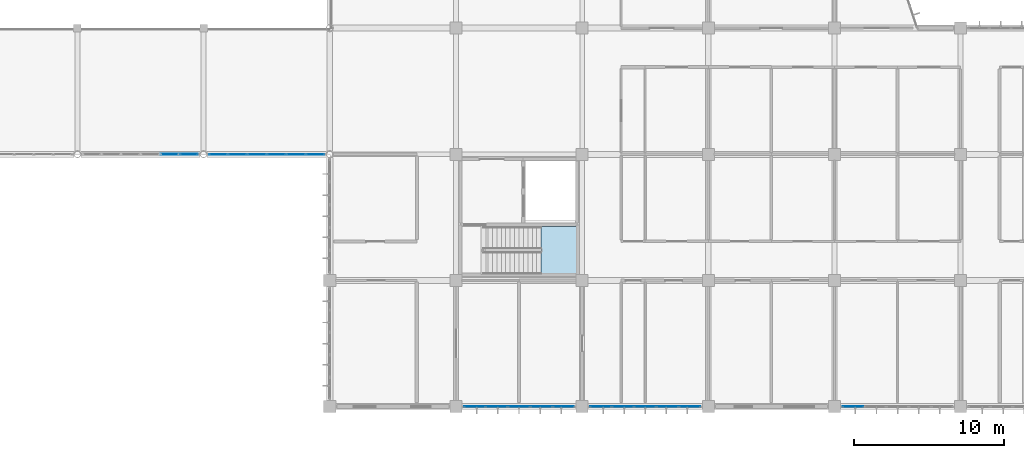
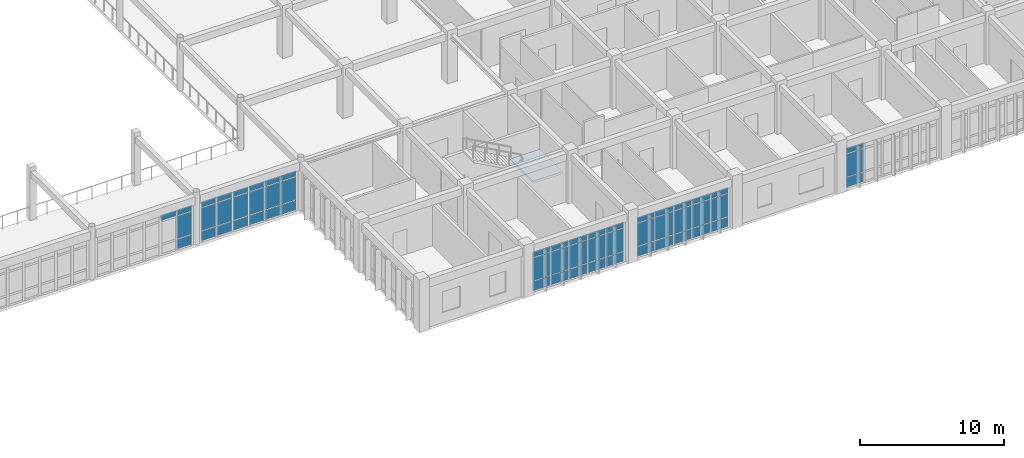
# One storey, part 75 of 144: 55 plates, 1 slab, 6 elements without a shape of their own.
"""IFC4 building model written with IfcOpenShell, lengths in metres."""

from ifc_helpers import new_model, si_unit, direction, frame, origin, origin_2d, place, context, subcontext, project, spatial, polyline, rectangle, outline, extrude, material, layer, layer_set, type_object, element, aggregate, save


model = new_model("IFC4")

# Units and contexts
model_context = context("Model", 3, precision=1e-05, world=origin(), true_north=direction((0.0, 1.0)))
body_context = subcontext(model_context, "Body", "Model", "MODEL_VIEW")
ifc_project = project(units=[si_unit("LENGTHUNIT", "METRE"), si_unit("AREAUNIT", "SQUARE_METRE"), si_unit("VOLUMEUNIT", "CUBIC_METRE"), si_unit("PLANEANGLEUNIT", "RADIAN"), si_unit("MASSUNIT", "GRAM", prefix="KILO")], contexts=[model_context])

# Site, building, storey
site_placement = place(None, origin())
site = spatial("IfcSite", under=ifc_project, at=site_placement, CompositionType="ELEMENT")
building_placement = place(site_placement, origin())
building = spatial("IfcBuilding", under=site, at=building_placement, Name="Bramfleet General Hospital", CompositionType="ELEMENT")
storey_placement = place(building_placement, frame((0.0, 0.0, 4.800048828125)))
storey = spatial("IfcBuildingStorey", under=building, at=storey_placement, Name="L01", CompositionType="ELEMENT", Elevation=4.800048828125)

# Curtain wall, plates
ifc_material_1 = material(Name="Anodised aluminium and low-E triple glazing", Category="aluminium")
ifc_layer_1 = layer(ifc_material_1, 0.179931640625, Name="CWT-CW-02")
ifc_layer_set_1 = layer_set([ifc_layer_1], Name="Anodised aluminium and low-E triple glazing")
curtain_wall_type_1 = type_object("IfcCurtainWallType", Name="CWT-CW-02", PredefinedType="USERDEFINED", material=ifc_layer_set_1)
curtain_wall_1_placement = place(storey_placement, origin())
curtain_wall_1 = element("IfcCurtainWall", 1, at=curtain_wall_1_placement, inside=storey, type_object=curtain_wall_type_1, Name="L01 Curtain Wall 74", ObjectType="Unitised curtain wall", PredefinedType="USERDEFINED")
ifc_material_2 = material(Name="Low-E laminated safety glass", Category="glass")
ifc_layer_2 = layer(ifc_material_2, 0.031982421875, Name="CWP-GLZ-2")
ifc_layer_set_2 = layer_set([ifc_layer_2], Name="Low-E laminated safety glass")
plate_type_1 = type_object("IfcPlateType", Name="CWP-GLZ-2", PredefinedType="CURTAIN_PANEL", material=ifc_layer_set_2)
plate_1_placement = place(storey_placement, frame((127.237548828125, 0.0, 0.06494140625), z_axis=(0.0, 0.0, 1.0), x_axis=(-1.0, 0.0, 0.0)))
plate_1 = element("IfcPlate", 2, at=plate_1_placement, type_object=plate_type_1, Name="CW-02 panel 5.1", PredefinedType="CURTAIN_PANEL", context=body_context, shape_type="SweptSolid", body=[
    extrude(rectangle(XDim=1.385009765625, YDim=0.031982421875, at=origin_2d()), origin(), (0.0, 0.0, 1.0), 0.802490234375),
])
plate_2_placement = place(storey_placement, frame((127.237548828125, 0.0, 0.9326171875), z_axis=(0.0, 0.0, 1.0), x_axis=(-1.0, 0.0, 0.0)))
plate_2 = element("IfcPlate", 3, at=plate_2_placement, type_object=plate_type_1, Name="CW-02 panel 5.2", PredefinedType="CURTAIN_PANEL", context=body_context, shape_type="SweptSolid", body=[
    extrude(rectangle(XDim=1.385009765625, YDim=0.031982421875, at=origin_2d()), origin(), (0.0, 0.0, 1.0), 1.925048828125),
])
plate_3_placement = place(storey_placement, frame((127.237548828125, 0.0, 2.92236328125), z_axis=(0.0, 0.0, 1.0), x_axis=(-1.0, 0.0, 0.0)))
plate_3 = element("IfcPlate", 4, at=plate_3_placement, type_object=plate_type_1, Name="CW-02 panel 5.3", PredefinedType="CURTAIN_PANEL", context=body_context, shape_type="SweptSolid", body=[
    extrude(rectangle(XDim=1.385009765625, YDim=0.031982421875, at=origin_2d()), origin(), (0.0, 0.0, 1.0), 0.452392578125),
])
aggregate(curtain_wall_1, [plate_1, plate_2, plate_3])

ifc_layer_3 = layer(ifc_material_1, 0.179931640625, Name="CWT-CW-03")
ifc_layer_set_3 = layer_set([ifc_layer_3], Name="Anodised aluminium and low-E triple glazing")
curtain_wall_type_2 = type_object("IfcCurtainWallType", Name="CWT-CW-03", PredefinedType="USERDEFINED", material=ifc_layer_set_3)
curtain_wall_2_placement = place(storey_placement, origin())
curtain_wall_2 = element("IfcCurtainWall", 5, at=curtain_wall_2_placement, inside=storey, type_object=curtain_wall_type_2, Name="L01 Curtain Wall 75", ObjectType="Unitised curtain wall", PredefinedType="USERDEFINED")
ifc_layer_4 = layer(ifc_material_2, 0.035888671875, Name="CWP-GLZ-3")
ifc_layer_set_4 = layer_set([ifc_layer_4], Name="Low-E laminated safety glass")
plate_type_2 = type_object("IfcPlateType", Name="CWP-GLZ-3", PredefinedType="CURTAIN_PANEL", material=ifc_layer_set_4)
plate_4_placement = place(storey_placement, frame((116.362548828125, 0.0, 0.06494140625), z_axis=(0.0, 0.0, 1.0), x_axis=(-1.0, 0.0, 0.0)))
plate_4 = element("IfcPlate", 6, at=plate_4_placement, type_object=plate_type_2, Name="CW-03 panel 1.1", PredefinedType="CURTAIN_PANEL", context=body_context, shape_type="SweptSolid", body=[
    extrude(rectangle(XDim=1.385009765625, YDim=0.035888671875, at=origin_2d()), origin(), (0.0, 0.0, 1.0), 0.802490234375),
])
plate_5_placement = place(storey_placement, frame((116.362548828125, 0.0, 0.9326171875), z_axis=(0.0, 0.0, 1.0), x_axis=(-1.0, 0.0, 0.0)))
plate_5 = element("IfcPlate", 7, at=plate_5_placement, type_object=plate_type_2, Name="CW-03 panel 1.2", PredefinedType="CURTAIN_PANEL", context=body_context, shape_type="SweptSolid", body=[
    extrude(rectangle(XDim=1.385009765625, YDim=0.035888671875, at=origin_2d()), origin(), (0.0, 0.0, 1.0), 1.925048828125),
])
plate_6_placement = place(storey_placement, frame((116.362548828125, 0.0, 2.92236328125), z_axis=(0.0, 0.0, 1.0), x_axis=(-1.0, 0.0, 0.0)))
plate_6 = element("IfcPlate", 8, at=plate_6_placement, type_object=plate_type_2, Name="CW-03 panel 1.3", PredefinedType="CURTAIN_PANEL", context=body_context, shape_type="SweptSolid", body=[
    extrude(rectangle(XDim=1.385009765625, YDim=0.035888671875, at=origin_2d()), origin(), (0.0, 0.0, 1.0), 0.452392578125),
])
plate_7_placement = place(storey_placement, frame((114.889892578125, 0.0, 0.06494140625), z_axis=(0.0, 0.0, 1.0), x_axis=(-1.0, 0.0, 0.0)))
plate_7 = element("IfcPlate", 9, at=plate_7_placement, type_object=plate_type_2, Name="CW-03 panel 2.1", PredefinedType="CURTAIN_PANEL", context=body_context, shape_type="SweptSolid", body=[
    extrude(rectangle(XDim=1.419921875, YDim=0.035888671875, at=origin_2d()), origin(), (0.0, 0.0, 1.0), 0.802490234375),
])
plate_8_placement = place(storey_placement, frame((114.889892578125, 0.0, 0.9326171875), z_axis=(0.0, 0.0, 1.0), x_axis=(-1.0, 0.0, 0.0)))
plate_8 = element("IfcPlate", 10, at=plate_8_placement, type_object=plate_type_2, Name="CW-03 panel 2.2", PredefinedType="CURTAIN_PANEL", context=body_context, shape_type="SweptSolid", body=[
    extrude(rectangle(XDim=1.419921875, YDim=0.035888671875, at=origin_2d()), origin(), (0.0, 0.0, 1.0), 1.925048828125),
])
plate_9_placement = place(storey_placement, frame((114.889892578125, 0.0, 2.92236328125), z_axis=(0.0, 0.0, 1.0), x_axis=(-1.0, 0.0, 0.0)))
plate_9 = element("IfcPlate", 11, at=plate_9_placement, type_object=plate_type_2, Name="CW-03 panel 2.3", PredefinedType="CURTAIN_PANEL", context=body_context, shape_type="SweptSolid", body=[
    extrude(rectangle(XDim=1.419921875, YDim=0.035888671875, at=origin_2d()), origin(), (0.0, 0.0, 1.0), 0.452392578125),
])
plate_10_placement = place(storey_placement, frame((113.39990234375, 0.0, 0.06494140625), z_axis=(0.0, 0.0, 1.0), x_axis=(-1.0, 0.0, 0.0)))
plate_10 = element("IfcPlate", 12, at=plate_10_placement, type_object=plate_type_2, Name="CW-03 panel 3.1", PredefinedType="CURTAIN_PANEL", context=body_context, shape_type="SweptSolid", body=[
    extrude(rectangle(XDim=1.419921875, YDim=0.035888671875, at=origin_2d()), origin(), (0.0, 0.0, 1.0), 0.802490234375),
])
plate_11_placement = place(storey_placement, frame((113.39990234375, 0.0, 0.9326171875), z_axis=(0.0, 0.0, 1.0), x_axis=(-1.0, 0.0, 0.0)))
plate_11 = element("IfcPlate", 13, at=plate_11_placement, type_object=plate_type_2, Name="CW-03 panel 3.2", PredefinedType="CURTAIN_PANEL", context=body_context, shape_type="SweptSolid", body=[
    extrude(rectangle(XDim=1.419921875, YDim=0.035888671875, at=origin_2d()), origin(), (0.0, 0.0, 1.0), 1.925048828125),
])
plate_12_placement = place(storey_placement, frame((113.39990234375, 0.0, 2.92236328125), z_axis=(0.0, 0.0, 1.0), x_axis=(-1.0, 0.0, 0.0)))
plate_12 = element("IfcPlate", 14, at=plate_12_placement, type_object=plate_type_2, Name="CW-03 panel 3.3", PredefinedType="CURTAIN_PANEL", context=body_context, shape_type="SweptSolid", body=[
    extrude(rectangle(XDim=1.419921875, YDim=0.035888671875, at=origin_2d()), origin(), (0.0, 0.0, 1.0), 0.452392578125),
])
plate_13_placement = place(storey_placement, frame((111.909912109375, 0.0, 0.06494140625), z_axis=(0.0, 0.0, 1.0), x_axis=(-1.0, 0.0, 0.0)))
plate_13 = element("IfcPlate", 15, at=plate_13_placement, type_object=plate_type_2, Name="CW-03 panel 4.1", PredefinedType="CURTAIN_PANEL", context=body_context, shape_type="SweptSolid", body=[
    extrude(rectangle(XDim=1.419921875, YDim=0.035888671875, at=origin_2d()), origin(), (0.0, 0.0, 1.0), 0.802490234375),
])
plate_14_placement = place(storey_placement, frame((111.909912109375, 0.0, 0.9326171875), z_axis=(0.0, 0.0, 1.0), x_axis=(-1.0, 0.0, 0.0)))
plate_14 = element("IfcPlate", 16, at=plate_14_placement, type_object=plate_type_2, Name="CW-03 panel 4.2", PredefinedType="CURTAIN_PANEL", context=body_context, shape_type="SweptSolid", body=[
    extrude(rectangle(XDim=1.419921875, YDim=0.035888671875, at=origin_2d()), origin(), (0.0, 0.0, 1.0), 1.925048828125),
])
plate_15_placement = place(storey_placement, frame((111.909912109375, 0.0, 2.92236328125), z_axis=(0.0, 0.0, 1.0), x_axis=(-1.0, 0.0, 0.0)))
plate_15 = element("IfcPlate", 17, at=plate_15_placement, type_object=plate_type_2, Name="CW-03 panel 4.3", PredefinedType="CURTAIN_PANEL", context=body_context, shape_type="SweptSolid", body=[
    extrude(rectangle(XDim=1.419921875, YDim=0.035888671875, at=origin_2d()), origin(), (0.0, 0.0, 1.0), 0.452392578125),
])
plate_16_placement = place(storey_placement, frame((110.4375, 0.0, 0.06494140625), z_axis=(0.0, 0.0, 1.0), x_axis=(-1.0, 0.0, 0.0)))
plate_16 = element("IfcPlate", 18, at=plate_16_placement, type_object=plate_type_2, Name="CW-03 panel 5.1", PredefinedType="CURTAIN_PANEL", context=body_context, shape_type="SweptSolid", body=[
    extrude(rectangle(XDim=1.385009765625, YDim=0.035888671875, at=origin_2d()), origin(), (0.0, 0.0, 1.0), 0.802490234375),
])
plate_17_placement = place(storey_placement, frame((110.4375, 0.0, 0.9326171875), z_axis=(0.0, 0.0, 1.0), x_axis=(-1.0, 0.0, 0.0)))
plate_17 = element("IfcPlate", 19, at=plate_17_placement, type_object=plate_type_2, Name="CW-03 panel 5.2", PredefinedType="CURTAIN_PANEL", context=body_context, shape_type="SweptSolid", body=[
    extrude(rectangle(XDim=1.385009765625, YDim=0.035888671875, at=origin_2d()), origin(), (0.0, 0.0, 1.0), 1.925048828125),
])
plate_18_placement = place(storey_placement, frame((110.4375, 0.0, 2.92236328125), z_axis=(0.0, 0.0, 1.0), x_axis=(-1.0, 0.0, 0.0)))
plate_18 = element("IfcPlate", 20, at=plate_18_placement, type_object=plate_type_2, Name="CW-03 panel 5.3", PredefinedType="CURTAIN_PANEL", context=body_context, shape_type="SweptSolid", body=[
    extrude(rectangle(XDim=1.385009765625, YDim=0.035888671875, at=origin_2d()), origin(), (0.0, 0.0, 1.0), 0.452392578125),
])
aggregate(curtain_wall_2, [plate_4, plate_5, plate_6, plate_7, plate_8, plate_9, plate_10, plate_11, plate_12, plate_13, plate_14, plate_15, plate_16, plate_17, plate_18])

ifc_layer_5 = layer(ifc_material_1, 0.179931640625, Name="CWT-CW-07")
ifc_layer_set_5 = layer_set([ifc_layer_5], Name="Anodised aluminium and low-E triple glazing")
curtain_wall_type_3 = type_object("IfcCurtainWallType", Name="CWT-CW-07", PredefinedType="USERDEFINED", material=ifc_layer_set_5)
curtain_wall_3_placement = place(storey_placement, origin())
curtain_wall_3 = element("IfcCurtainWall", 21, at=curtain_wall_3_placement, inside=storey, type_object=curtain_wall_type_3, Name="L01 Curtain Wall 79", ObjectType="Unitised curtain wall", PredefinedType="USERDEFINED")
plate_19_placement = place(storey_placement, frame((91.4287109375, 16.800048828125, 0.06494140625), z_axis=(0.0, 0.0, 1.0), x_axis=(-1.0, 0.0, 0.0)))
plate_19 = element("IfcPlate", 22, at=plate_19_placement, type_object=plate_type_2, Name="CW-07 panel 1.1", PredefinedType="CURTAIN_PANEL", context=body_context, shape_type="SweptSolid", body=[
    extrude(rectangle(XDim=1.1865234375, YDim=0.035888671875, at=origin_2d()), origin(), (0.0, 0.0, 1.0), 0.802490234375),
])
plate_20_placement = place(storey_placement, frame((91.4287109375, 16.800048828125, 0.9326171875), z_axis=(0.0, 0.0, 1.0), x_axis=(-1.0, 0.0, 0.0)))
plate_20 = element("IfcPlate", 23, at=plate_20_placement, type_object=plate_type_2, Name="CW-07 panel 1.2", PredefinedType="CURTAIN_PANEL", context=body_context, shape_type="SweptSolid", body=[
    extrude(rectangle(XDim=1.1865234375, YDim=0.035888671875, at=origin_2d()), origin(), (0.0, 0.0, 1.0), 1.925048828125),
])
plate_21_placement = place(storey_placement, frame((91.4287109375, 16.800048828125, 2.92236328125), z_axis=(0.0, 0.0, 1.0), x_axis=(-1.0, 0.0, 0.0)))
plate_21 = element("IfcPlate", 24, at=plate_21_placement, type_object=plate_type_2, Name="CW-07 panel 1.3", PredefinedType="CURTAIN_PANEL", context=body_context, shape_type="SweptSolid", body=[
    extrude(rectangle(XDim=1.1865234375, YDim=0.035888671875, at=origin_2d()), origin(), (0.0, 0.0, 1.0), 0.452392578125),
])
plate_22_placement = place(storey_placement, frame((90.1484375, 16.800048828125, 0.06494140625), z_axis=(0.0, 0.0, 1.0), x_axis=(-1.0, 0.0, 0.0)))
plate_22 = element("IfcPlate", 25, at=plate_22_placement, type_object=plate_type_2, Name="CW-07 panel 2.1", PredefinedType="CURTAIN_PANEL", context=body_context, shape_type="SweptSolid", body=[
    extrude(rectangle(XDim=1.22412109375, YDim=0.035888671875, at=origin_2d()), origin(), (0.0, 0.0, 1.0), 0.802490234375),
])
plate_23_placement = place(storey_placement, frame((90.1484375, 16.800048828125, 0.9326171875), z_axis=(0.0, 0.0, 1.0), x_axis=(-1.0, 0.0, 0.0)))
plate_23 = element("IfcPlate", 26, at=plate_23_placement, type_object=plate_type_2, Name="CW-07 panel 2.2", PredefinedType="CURTAIN_PANEL", context=body_context, shape_type="SweptSolid", body=[
    extrude(rectangle(XDim=1.22412109375, YDim=0.035888671875, at=origin_2d()), origin(), (0.0, 0.0, 1.0), 1.925048828125),
])
plate_24_placement = place(storey_placement, frame((90.1484375, 16.800048828125, 2.92236328125), z_axis=(0.0, 0.0, 1.0), x_axis=(-1.0, 0.0, 0.0)))
plate_24 = element("IfcPlate", 27, at=plate_24_placement, type_object=plate_type_2, Name="CW-07 panel 2.3", PredefinedType="CURTAIN_PANEL", context=body_context, shape_type="SweptSolid", body=[
    extrude(rectangle(XDim=1.22412109375, YDim=0.035888671875, at=origin_2d()), origin(), (0.0, 0.0, 1.0), 0.452392578125),
])
plate_25_placement = place(storey_placement, frame((88.849609375, 16.800048828125, 0.06494140625), z_axis=(0.0, 0.0, 1.0), x_axis=(-1.0, 0.0, 0.0)))
plate_25 = element("IfcPlate", 28, at=plate_25_placement, type_object=plate_type_2, Name="CW-07 panel 3.1", PredefinedType="CURTAIN_PANEL", context=body_context, shape_type="SweptSolid", body=[
    extrude(rectangle(XDim=1.22412109375, YDim=0.035888671875, at=origin_2d()), origin(), (0.0, 0.0, 1.0), 0.802490234375),
])
plate_26_placement = place(storey_placement, frame((88.849609375, 16.800048828125, 0.9326171875), z_axis=(0.0, 0.0, 1.0), x_axis=(-1.0, 0.0, 0.0)))
plate_26 = element("IfcPlate", 29, at=plate_26_placement, type_object=plate_type_2, Name="CW-07 panel 3.2", PredefinedType="CURTAIN_PANEL", context=body_context, shape_type="SweptSolid", body=[
    extrude(rectangle(XDim=1.22412109375, YDim=0.035888671875, at=origin_2d()), origin(), (0.0, 0.0, 1.0), 1.925048828125),
])
plate_27_placement = place(storey_placement, frame((88.849609375, 16.800048828125, 2.92236328125), z_axis=(0.0, 0.0, 1.0), x_axis=(-1.0, 0.0, 0.0)))
plate_27 = element("IfcPlate", 30, at=plate_27_placement, type_object=plate_type_2, Name="CW-07 panel 3.3", PredefinedType="CURTAIN_PANEL", context=body_context, shape_type="SweptSolid", body=[
    extrude(rectangle(XDim=1.22412109375, YDim=0.035888671875, at=origin_2d()), origin(), (0.0, 0.0, 1.0), 0.452392578125),
])
plate_28_placement = place(storey_placement, frame((87.550537109375, 16.800048828125, 0.06494140625), z_axis=(0.0, 0.0, 1.0), x_axis=(-1.0, 0.0, 0.0)))
plate_28 = element("IfcPlate", 31, at=plate_28_placement, type_object=plate_type_2, Name="CW-07 panel 4.1", PredefinedType="CURTAIN_PANEL", context=body_context, shape_type="SweptSolid", body=[
    extrude(rectangle(XDim=1.22412109375, YDim=0.035888671875, at=origin_2d()), origin(), (0.0, 0.0, 1.0), 0.802490234375),
])
plate_29_placement = place(storey_placement, frame((87.550537109375, 16.800048828125, 0.9326171875), z_axis=(0.0, 0.0, 1.0), x_axis=(-1.0, 0.0, 0.0)))
plate_29 = element("IfcPlate", 32, at=plate_29_placement, type_object=plate_type_2, Name="CW-07 panel 4.2", PredefinedType="CURTAIN_PANEL", context=body_context, shape_type="SweptSolid", body=[
    extrude(rectangle(XDim=1.22412109375, YDim=0.035888671875, at=origin_2d()), origin(), (0.0, 0.0, 1.0), 1.925048828125),
])
plate_30_placement = place(storey_placement, frame((87.550537109375, 16.800048828125, 2.92236328125), z_axis=(0.0, 0.0, 1.0), x_axis=(-1.0, 0.0, 0.0)))
plate_30 = element("IfcPlate", 33, at=plate_30_placement, type_object=plate_type_2, Name="CW-07 panel 4.3", PredefinedType="CURTAIN_PANEL", context=body_context, shape_type="SweptSolid", body=[
    extrude(rectangle(XDim=1.22412109375, YDim=0.035888671875, at=origin_2d()), origin(), (0.0, 0.0, 1.0), 0.452392578125),
])
plate_31_placement = place(storey_placement, frame((86.25146484375, 16.800048828125, 0.06494140625), z_axis=(0.0, 0.0, 1.0), x_axis=(-1.0, 0.0, 0.0)))
plate_31 = element("IfcPlate", 34, at=plate_31_placement, type_object=plate_type_2, Name="CW-07 panel 5.1", PredefinedType="CURTAIN_PANEL", context=body_context, shape_type="SweptSolid", body=[
    extrude(rectangle(XDim=1.22412109375, YDim=0.035888671875, at=origin_2d()), origin(), (0.0, 0.0, 1.0), 0.802490234375),
])
plate_32_placement = place(storey_placement, frame((86.25146484375, 16.800048828125, 0.9326171875), z_axis=(0.0, 0.0, 1.0), x_axis=(-1.0, 0.0, 0.0)))
plate_32 = element("IfcPlate", 35, at=plate_32_placement, type_object=plate_type_2, Name="CW-07 panel 5.2", PredefinedType="CURTAIN_PANEL", context=body_context, shape_type="SweptSolid", body=[
    extrude(rectangle(XDim=1.22412109375, YDim=0.035888671875, at=origin_2d()), origin(), (0.0, 0.0, 1.0), 1.925048828125),
])
plate_33_placement = place(storey_placement, frame((86.25146484375, 16.800048828125, 2.92236328125), z_axis=(0.0, 0.0, 1.0), x_axis=(-1.0, 0.0, 0.0)))
plate_33 = element("IfcPlate", 36, at=plate_33_placement, type_object=plate_type_2, Name="CW-07 panel 5.3", PredefinedType="CURTAIN_PANEL", context=body_context, shape_type="SweptSolid", body=[
    extrude(rectangle(XDim=1.22412109375, YDim=0.035888671875, at=origin_2d()), origin(), (0.0, 0.0, 1.0), 0.452392578125),
])
plate_34_placement = place(storey_placement, frame((84.97119140625, 16.800048828125, 0.06494140625), z_axis=(0.0, 0.0, 1.0), x_axis=(-1.0, 0.0, 0.0)))
plate_34 = element("IfcPlate", 37, at=plate_34_placement, type_object=plate_type_2, Name="CW-07 panel 6.1", PredefinedType="CURTAIN_PANEL", context=body_context, shape_type="SweptSolid", body=[
    extrude(rectangle(XDim=1.1865234375, YDim=0.035888671875, at=origin_2d()), origin(), (0.0, 0.0, 1.0), 0.802490234375),
])
plate_35_placement = place(storey_placement, frame((84.97119140625, 16.800048828125, 0.9326171875), z_axis=(0.0, 0.0, 1.0), x_axis=(-1.0, 0.0, 0.0)))
plate_35 = element("IfcPlate", 38, at=plate_35_placement, type_object=plate_type_2, Name="CW-07 panel 6.2", PredefinedType="CURTAIN_PANEL", context=body_context, shape_type="SweptSolid", body=[
    extrude(rectangle(XDim=1.1865234375, YDim=0.035888671875, at=origin_2d()), origin(), (0.0, 0.0, 1.0), 1.925048828125),
])
plate_36_placement = place(storey_placement, frame((84.97119140625, 16.800048828125, 2.92236328125), z_axis=(0.0, 0.0, 1.0), x_axis=(-1.0, 0.0, 0.0)))
plate_36 = element("IfcPlate", 39, at=plate_36_placement, type_object=plate_type_2, Name="CW-07 panel 6.3", PredefinedType="CURTAIN_PANEL", context=body_context, shape_type="SweptSolid", body=[
    extrude(rectangle(XDim=1.1865234375, YDim=0.035888671875, at=origin_2d()), origin(), (0.0, 0.0, 1.0), 0.452392578125),
])
aggregate(curtain_wall_3, [plate_19, plate_20, plate_21, plate_22, plate_23, plate_24, plate_25, plate_26, plate_27, plate_28, plate_29, plate_30, plate_31, plate_32, plate_33, plate_34, plate_35, plate_36])

ifc_layer_6 = layer(ifc_material_1, 0.179931640625, Name="CWT-CW-04")
ifc_layer_set_6 = layer_set([ifc_layer_6], Name="Anodised aluminium and low-E triple glazing")
curtain_wall_type_4 = type_object("IfcCurtainWallType", Name="CWT-CW-04", PredefinedType="USERDEFINED", material=ifc_layer_set_6)
curtain_wall_4_placement = place(storey_placement, origin())
curtain_wall_4 = element("IfcCurtainWall", 40, at=curtain_wall_4_placement, inside=storey, type_object=curtain_wall_type_4, Name="L01 Curtain Wall 76", ObjectType="Unitised curtain wall", PredefinedType="USERDEFINED")
ifc_layer_7 = layer(ifc_material_2, 0.0419921875, Name="CWP-GLZ-4")
ifc_layer_set_7 = layer_set([ifc_layer_7], Name="Low-E laminated safety glass")
plate_type_3 = type_object("IfcPlateType", Name="CWP-GLZ-4", PredefinedType="CURTAIN_PANEL", material=ifc_layer_set_7)
plate_37_placement = place(storey_placement, frame((107.96240234375, 0.0, 0.06494140625), z_axis=(0.0, 0.0, 1.0), x_axis=(-1.0, 0.0, 0.0)))
plate_37 = element("IfcPlate", 41, at=plate_37_placement, type_object=plate_type_3, Name="CW-04 panel 1.1", PredefinedType="CURTAIN_PANEL", context=body_context, shape_type="SweptSolid", body=[
    extrude(rectangle(XDim=1.385009765625, YDim=0.0419921875, at=origin_2d()), origin(), (0.0, 0.0, 1.0), 0.802490234375),
])
plate_38_placement = place(storey_placement, frame((107.96240234375, 0.0, 0.9326171875), z_axis=(0.0, 0.0, 1.0), x_axis=(-1.0, 0.0, 0.0)))
plate_38 = element("IfcPlate", 42, at=plate_38_placement, type_object=plate_type_3, Name="CW-04 panel 1.2", PredefinedType="CURTAIN_PANEL", context=body_context, shape_type="SweptSolid", body=[
    extrude(rectangle(XDim=1.385009765625, YDim=0.0419921875, at=origin_2d()), origin(), (0.0, 0.0, 1.0), 1.925048828125),
])
plate_39_placement = place(storey_placement, frame((107.96240234375, 0.0, 2.92236328125), z_axis=(0.0, 0.0, 1.0), x_axis=(-1.0, 0.0, 0.0)))
plate_39 = element("IfcPlate", 43, at=plate_39_placement, type_object=plate_type_3, Name="CW-04 panel 1.3", PredefinedType="CURTAIN_PANEL", context=body_context, shape_type="SweptSolid", body=[
    extrude(rectangle(XDim=1.385009765625, YDim=0.0419921875, at=origin_2d()), origin(), (0.0, 0.0, 1.0), 0.452392578125),
])
plate_40_placement = place(storey_placement, frame((106.489990234375, 0.0, 0.06494140625), z_axis=(0.0, 0.0, 1.0), x_axis=(-1.0, 0.0, 0.0)))
plate_40 = element("IfcPlate", 44, at=plate_40_placement, type_object=plate_type_3, Name="CW-04 panel 2.1", PredefinedType="CURTAIN_PANEL", context=body_context, shape_type="SweptSolid", body=[
    extrude(rectangle(XDim=1.419921875, YDim=0.0419921875, at=origin_2d()), origin(), (0.0, 0.0, 1.0), 0.802490234375),
])
plate_41_placement = place(storey_placement, frame((106.489990234375, 0.0, 0.9326171875), z_axis=(0.0, 0.0, 1.0), x_axis=(-1.0, 0.0, 0.0)))
plate_41 = element("IfcPlate", 45, at=plate_41_placement, type_object=plate_type_3, Name="CW-04 panel 2.2", PredefinedType="CURTAIN_PANEL", context=body_context, shape_type="SweptSolid", body=[
    extrude(rectangle(XDim=1.419921875, YDim=0.0419921875, at=origin_2d()), origin(), (0.0, 0.0, 1.0), 1.925048828125),
])
plate_42_placement = place(storey_placement, frame((106.489990234375, 0.0, 2.92236328125), z_axis=(0.0, 0.0, 1.0), x_axis=(-1.0, 0.0, 0.0)))
plate_42 = element("IfcPlate", 46, at=plate_42_placement, type_object=plate_type_3, Name="CW-04 panel 2.3", PredefinedType="CURTAIN_PANEL", context=body_context, shape_type="SweptSolid", body=[
    extrude(rectangle(XDim=1.419921875, YDim=0.0419921875, at=origin_2d()), origin(), (0.0, 0.0, 1.0), 0.452392578125),
])
plate_43_placement = place(storey_placement, frame((105.0, 0.0, 0.06494140625), z_axis=(0.0, 0.0, 1.0), x_axis=(-1.0, 0.0, 0.0)))
plate_43 = element("IfcPlate", 47, at=plate_43_placement, type_object=plate_type_3, Name="CW-04 panel 3.1", PredefinedType="CURTAIN_PANEL", context=body_context, shape_type="SweptSolid", body=[
    extrude(rectangle(XDim=1.419921875, YDim=0.0419921875, at=origin_2d()), origin(), (0.0, 0.0, 1.0), 0.802490234375),
])
plate_44_placement = place(storey_placement, frame((105.0, 0.0, 0.9326171875), z_axis=(0.0, 0.0, 1.0), x_axis=(-1.0, 0.0, 0.0)))
plate_44 = element("IfcPlate", 48, at=plate_44_placement, type_object=plate_type_3, Name="CW-04 panel 3.2", PredefinedType="CURTAIN_PANEL", context=body_context, shape_type="SweptSolid", body=[
    extrude(rectangle(XDim=1.419921875, YDim=0.0419921875, at=origin_2d()), origin(), (0.0, 0.0, 1.0), 1.925048828125),
])
plate_45_placement = place(storey_placement, frame((105.0, 0.0, 2.92236328125), z_axis=(0.0, 0.0, 1.0), x_axis=(-1.0, 0.0, 0.0)))
plate_45 = element("IfcPlate", 49, at=plate_45_placement, type_object=plate_type_3, Name="CW-04 panel 3.3", PredefinedType="CURTAIN_PANEL", context=body_context, shape_type="SweptSolid", body=[
    extrude(rectangle(XDim=1.419921875, YDim=0.0419921875, at=origin_2d()), origin(), (0.0, 0.0, 1.0), 0.452392578125),
])
plate_46_placement = place(storey_placement, frame((103.510009765625, 0.0, 0.06494140625), z_axis=(0.0, 0.0, 1.0), x_axis=(-1.0, 0.0, 0.0)))
plate_46 = element("IfcPlate", 50, at=plate_46_placement, type_object=plate_type_3, Name="CW-04 panel 4.1", PredefinedType="CURTAIN_PANEL", context=body_context, shape_type="SweptSolid", body=[
    extrude(rectangle(XDim=1.419921875, YDim=0.0419921875, at=origin_2d()), origin(), (0.0, 0.0, 1.0), 0.802490234375),
])
plate_47_placement = place(storey_placement, frame((103.510009765625, 0.0, 0.9326171875), z_axis=(0.0, 0.0, 1.0), x_axis=(-1.0, 0.0, 0.0)))
plate_47 = element("IfcPlate", 51, at=plate_47_placement, type_object=plate_type_3, Name="CW-04 panel 4.2", PredefinedType="CURTAIN_PANEL", context=body_context, shape_type="SweptSolid", body=[
    extrude(rectangle(XDim=1.419921875, YDim=0.0419921875, at=origin_2d()), origin(), (0.0, 0.0, 1.0), 1.925048828125),
])
plate_48_placement = place(storey_placement, frame((103.510009765625, 0.0, 2.92236328125), z_axis=(0.0, 0.0, 1.0), x_axis=(-1.0, 0.0, 0.0)))
plate_48 = element("IfcPlate", 52, at=plate_48_placement, type_object=plate_type_3, Name="CW-04 panel 4.3", PredefinedType="CURTAIN_PANEL", context=body_context, shape_type="SweptSolid", body=[
    extrude(rectangle(XDim=1.419921875, YDim=0.0419921875, at=origin_2d()), origin(), (0.0, 0.0, 1.0), 0.452392578125),
])
plate_49_placement = place(storey_placement, frame((102.03759765625, 0.0, 0.06494140625), z_axis=(0.0, 0.0, 1.0), x_axis=(-1.0, 0.0, 0.0)))
plate_49 = element("IfcPlate", 53, at=plate_49_placement, type_object=plate_type_3, Name="CW-04 panel 5.1", PredefinedType="CURTAIN_PANEL", context=body_context, shape_type="SweptSolid", body=[
    extrude(rectangle(XDim=1.385009765625, YDim=0.0419921875, at=origin_2d()), origin(), (0.0, 0.0, 1.0), 0.802490234375),
])
plate_50_placement = place(storey_placement, frame((102.03759765625, 0.0, 0.9326171875), z_axis=(0.0, 0.0, 1.0), x_axis=(-1.0, 0.0, 0.0)))
plate_50 = element("IfcPlate", 54, at=plate_50_placement, type_object=plate_type_3, Name="CW-04 panel 5.2", PredefinedType="CURTAIN_PANEL", context=body_context, shape_type="SweptSolid", body=[
    extrude(rectangle(XDim=1.385009765625, YDim=0.0419921875, at=origin_2d()), origin(), (0.0, 0.0, 1.0), 1.925048828125),
])
plate_51_placement = place(storey_placement, frame((102.03759765625, 0.0, 2.92236328125), z_axis=(0.0, 0.0, 1.0), x_axis=(-1.0, 0.0, 0.0)))
plate_51 = element("IfcPlate", 55, at=plate_51_placement, type_object=plate_type_3, Name="CW-04 panel 5.3", PredefinedType="CURTAIN_PANEL", context=body_context, shape_type="SweptSolid", body=[
    extrude(rectangle(XDim=1.385009765625, YDim=0.0419921875, at=origin_2d()), origin(), (0.0, 0.0, 1.0), 0.452392578125),
])
aggregate(curtain_wall_4, [plate_37, plate_38, plate_39, plate_40, plate_41, plate_42, plate_43, plate_44, plate_45, plate_46, plate_47, plate_48, plate_49, plate_50, plate_51])

ifc_layer_8 = layer(ifc_material_1, 0.179931640625, Name="CWT-CW-08")
ifc_layer_set_8 = layer_set([ifc_layer_8], Name="Anodised aluminium and low-E triple glazing")
curtain_wall_type_5 = type_object("IfcCurtainWallType", Name="CWT-CW-08", PredefinedType="USERDEFINED", material=ifc_layer_set_8)
curtain_wall_5_placement = place(storey_placement, origin())
curtain_wall_5 = element("IfcCurtainWall", 56, at=curtain_wall_5_placement, inside=storey, type_object=curtain_wall_type_5, Name="L01 Curtain Wall 80", ObjectType="Unitised curtain wall", PredefinedType="USERDEFINED")
plate_52_placement = place(storey_placement, frame((83.02880859375, 16.800048828125, 0.06494140625), z_axis=(0.0, 0.0, 1.0), x_axis=(-1.0, 0.0, 0.0)))
plate_52 = element("IfcPlate", 57, at=plate_52_placement, type_object=plate_type_3, Name="CW-08 panel 1.1", PredefinedType="CURTAIN_PANEL", context=body_context, shape_type="SweptSolid", body=[
    extrude(rectangle(XDim=1.1865234375, YDim=0.0419921875, at=origin_2d()), origin(), (0.0, 0.0, 1.0), 0.802490234375),
])
plate_53_placement = place(storey_placement, frame((83.02880859375, 16.800048828125, 0.9326171875), z_axis=(0.0, 0.0, 1.0), x_axis=(-1.0, 0.0, 0.0)))
plate_53 = element("IfcPlate", 58, at=plate_53_placement, type_object=plate_type_3, Name="CW-08 panel 1.2", PredefinedType="CURTAIN_PANEL", context=body_context, shape_type="SweptSolid", body=[
    extrude(rectangle(XDim=1.1865234375, YDim=0.0419921875, at=origin_2d()), origin(), (0.0, 0.0, 1.0), 1.925048828125),
])
plate_54_placement = place(storey_placement, frame((83.02880859375, 16.800048828125, 2.92236328125), z_axis=(0.0, 0.0, 1.0), x_axis=(-1.0, 0.0, 0.0)))
plate_54 = element("IfcPlate", 59, at=plate_54_placement, type_object=plate_type_3, Name="CW-08 panel 1.3", PredefinedType="CURTAIN_PANEL", context=body_context, shape_type="SweptSolid", body=[
    extrude(rectangle(XDim=1.1865234375, YDim=0.0419921875, at=origin_2d()), origin(), (0.0, 0.0, 1.0), 0.452392578125),
])
plate_55_placement = place(storey_placement, frame((81.74853515625, 16.800048828125, 2.92236328125), z_axis=(0.0, 0.0, 1.0), x_axis=(-1.0, 0.0, 0.0)))
plate_55 = element("IfcPlate", 60, at=plate_55_placement, type_object=plate_type_3, Name="CW-08 panel 2.3", PredefinedType="CURTAIN_PANEL", context=body_context, shape_type="SweptSolid", body=[
    extrude(rectangle(XDim=1.22412109375, YDim=0.0419921875, at=origin_2d()), origin(), (0.0, 0.0, 1.0), 0.452392578125),
])
aggregate(curtain_wall_5, [plate_52, plate_53, plate_54, plate_55])

# Stair, slab
ifc_material_3 = material(Name="Concrete C35/45", Category="concrete")
stair_type = type_object("IfcStairType", Name="STR-T2", PredefinedType="HALF_TURN_STAIR", material=ifc_material_3)
stair_placement = place(storey_placement, origin())
stair = element("IfcStair", 61, at=stair_placement, inside=storey, type_object=stair_type, Name="L01 Core C3 (South Ward Wing) Protected Escape Stair", PredefinedType="HALF_TURN_STAIR")
ifc_layer_9 = layer(ifc_material_3, 0.199951171875, Name="SL-LND-200")
ifc_layer_set_9 = layer_set([ifc_layer_9], Name="Concrete C35/45")
slab_type = type_object("IfcSlabType", Name="SL-LND-200", PredefinedType="LANDING", material=ifc_layer_set_9)
slab_placement = place(storey_placement, frame((0.0, 0.0, 2.050048828125)))
slab = element("IfcSlab", 62, at=slab_placement, type_object=slab_type, Name="ST-C3 landing 1", PredefinedType="LANDING", context=body_context, shape_type="SweptSolid", body=[
    extrude(outline(polyline([(106.47509765625, 8.820068359375), (108.860107421875, 8.820068359375), (108.860107421875, 11.97998046875), (106.47509765625, 11.97998046875), (106.47509765625, 8.820068359375)])), origin(), (0.0, 0.0, 1.0), 0.199951171875),
])
aggregate(stair, [slab])

save(model, "model.ifc")
